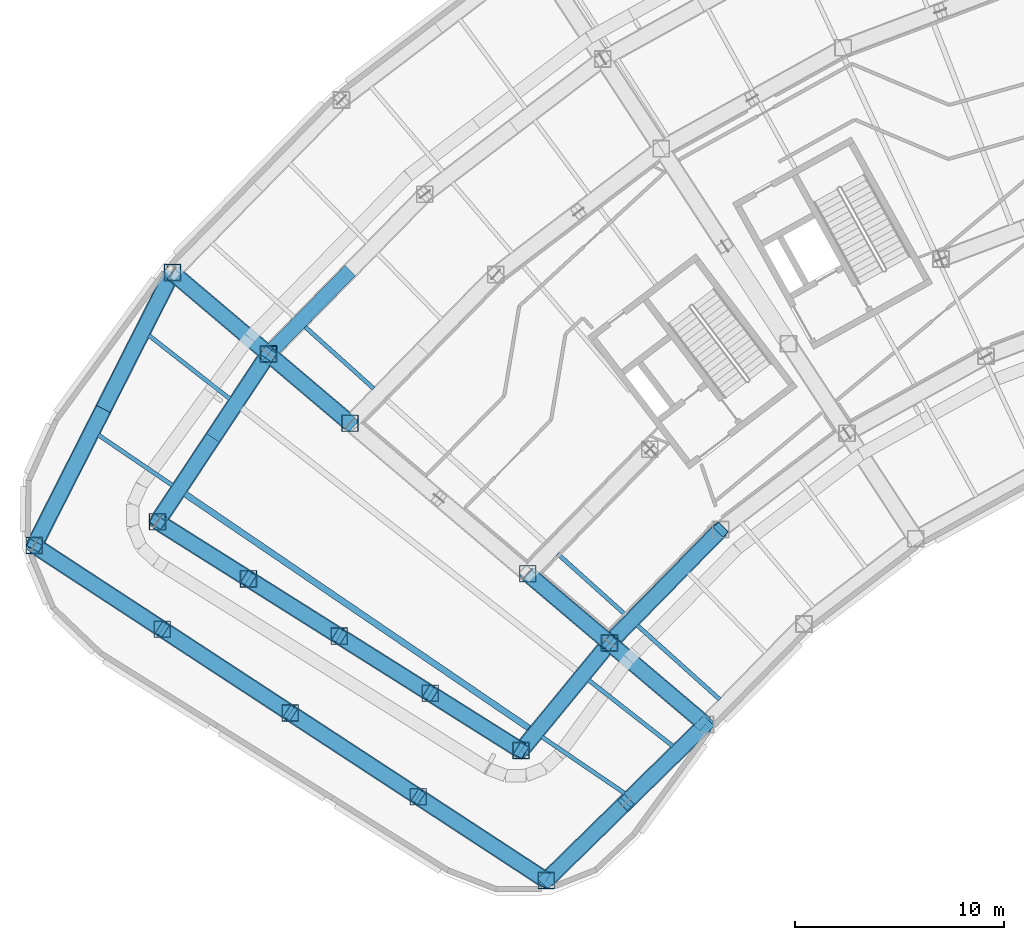
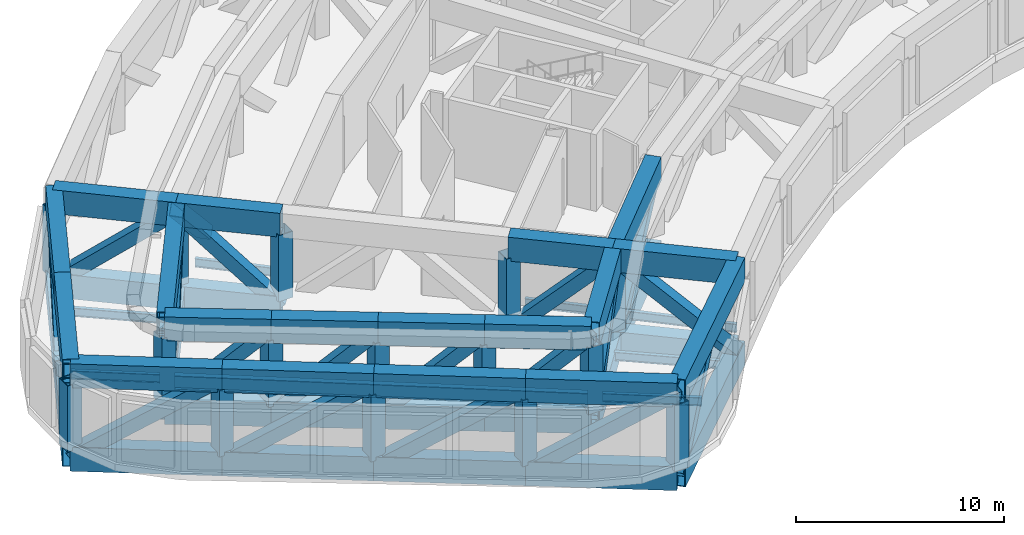
# One storey, part 1 of 30: 44 beams, 36 members.
"""IFC4 building model written with IfcOpenShell, lengths in metres."""

from ifc_helpers import new_model, si_unit, direction, frame, origin, origin_2d, place, context, subcontext, project, spatial, hollow_rectangle, i_section, extrude, material, material_profile, profile_set, type_object, element, save


model = new_model("IFC4")

# Units and contexts
model_context = context("Model", 3, precision=1e-05, world=origin(), true_north=direction((0.0, 1.0)))
body_context = subcontext(model_context, "Body", "Model", "MODEL_VIEW")
ifc_project = project(units=[si_unit("LENGTHUNIT", "METRE"), si_unit("AREAUNIT", "SQUARE_METRE"), si_unit("VOLUMEUNIT", "CUBIC_METRE"), si_unit("PLANEANGLEUNIT", "RADIAN"), si_unit("MASSUNIT", "GRAM", prefix="KILO")], contexts=[model_context])

# Site, building, storey
site_placement = place(None, origin())
site = spatial("IfcSite", under=ifc_project, at=site_placement, CompositionType="ELEMENT")
building_placement = place(site_placement, origin())
building = spatial("IfcBuilding", under=site, at=building_placement, Name="Tuul Gate Civic Tower", CompositionType="ELEMENT")
storey_placement = place(building_placement, frame((0.0, 0.0, 26.699951171875)))
storey = spatial("IfcBuildingStorey", under=building, at=storey_placement, Name="Plant and refuge floor 1", CompositionType="ELEMENT", Elevation=26.699951171875)

# Beams
ifc_material_1 = material(Name="Steel S355", Category="steel")
ifc_material_profile_1 = material_profile(ifc_material_1, i_section(OverallWidth=0.199951171875, OverallDepth=0.5, WebThickness=0.010009765625, FlangeThickness=0.01611328125, at=origin_2d()), Name="PG500x200x10x16")
ifc_profile_set_1 = profile_set([ifc_material_profile_1], Name="Steel S355")
beam_type_1 = type_object("IfcBeamType", Name="STR-FLOOR BEAM-PG500x200x10x16", PredefinedType="BEAM", material=ifc_profile_set_1)
beam_1_placement = place(storey_placement, frame((-34.812255859375, -28.722412109375, -0.64990234375), z_axis=(-0.743879672557, 0.668313573674, 0.0), x_axis=(-0.668313573674, -0.743879672557, 0.0)))
element("IfcBeam", 1, at=beam_1_placement, inside=storey, type_object=beam_type_1, Name="Floor beam", PredefinedType="BEAM", context=body_context, shape_type="SweptSolid", body=[
    extrude(i_section(OverallWidth=0.199951171875, OverallDepth=0.5, WebThickness=0.010009765625, FlangeThickness=0.01611328125, at=origin_2d()), origin(), (0.0, 0.0, 1.0), 5.304931640625),
])
beam_2_placement = place(storey_placement, frame((-39.27978515625, -24.708740234375, -0.64990234375), z_axis=(-0.743850706802, 0.668345813176, 0.0), x_axis=(-0.668345813176, -0.743850706802, 0.0)))
element("IfcBeam", 2, at=beam_2_placement, inside=storey, type_object=beam_type_1, Name="Floor beam", PredefinedType="BEAM", context=body_context, shape_type="SweptSolid", body=[
    extrude(i_section(OverallWidth=0.199951171875, OverallDepth=0.5, WebThickness=0.010009765625, FlangeThickness=0.01611328125, at=origin_2d()), origin(), (0.0, 0.0, 1.0), 4.404052734375),
])
beam_3_placement = place(storey_placement, frame((-51.341552734375, -13.87158203125, -0.64990234375), z_axis=(-0.743869870491, 0.668324483897, 0.0), x_axis=(-0.668324483897, -0.743869870491, 0.0)))
element("IfcBeam", 3, at=beam_3_placement, inside=storey, type_object=beam_type_1, Name="Floor beam", PredefinedType="BEAM", context=body_context, shape_type="SweptSolid", body=[
    extrude(i_section(OverallWidth=0.199951171875, OverallDepth=0.5, WebThickness=0.010009765625, FlangeThickness=0.01611328125, at=origin_2d()), origin(), (0.0, 0.0, 1.0), 4.40478515625),
])
beam_4_placement = place(storey_placement, frame((-37.0517578125, -30.954345703125, -0.64990234375), z_axis=(-0.787004598656, 0.616947130389, 0.0), x_axis=(-0.616947130389, -0.787004598656, 0.0)))
element("IfcBeam", 4, at=beam_4_placement, inside=storey, type_object=beam_type_1, Name="Floor beam", PredefinedType="BEAM", context=body_context, shape_type="SweptSolid", body=[
    extrude(i_section(OverallWidth=0.199951171875, OverallDepth=0.5, WebThickness=0.010009765625, FlangeThickness=0.01611328125, at=origin_2d()), origin(), (0.0, 0.0, 1.0), 5.119384765625),
])
beam_5_placement = place(storey_placement, frame((-58.212646484375, -14.365966796875, -0.64990234375), z_axis=(-0.787012969501, 0.616936452025, 0.0), x_axis=(-0.616936452025, -0.787012969501, 0.0)))
element("IfcBeam", 5, at=beam_5_placement, inside=storey, type_object=beam_type_1, Name="Floor beam", PredefinedType="BEAM", context=body_context, shape_type="SweptSolid", body=[
    extrude(i_section(OverallWidth=0.199951171875, OverallDepth=0.5, WebThickness=0.010009765625, FlangeThickness=0.01611328125, at=origin_2d()), origin(), (0.0, 0.0, 1.0), 4.923583984375),
])
beam_6_placement = place(storey_placement, frame((-39.3515625, -33.207763671875, -0.64990234375), z_axis=(-0.826599247589, 0.562790977082, 0.0), x_axis=(-0.562790977082, -0.826599247589, 0.0)))
element("IfcBeam", 6, at=beam_6_placement, inside=storey, type_object=beam_type_1, Name="Floor beam", PredefinedType="BEAM", context=body_context, shape_type="SweptSolid", body=[
    extrude(i_section(OverallWidth=0.199951171875, OverallDepth=0.5, WebThickness=0.010009765625, FlangeThickness=0.01611328125, at=origin_2d()), origin(), (0.0, 0.0, 1.0), 4.789306640625),
])
beam_7_placement = place(storey_placement, frame((-60.948974609375, -18.50341796875, -0.64990234375), z_axis=(-0.826594180871, 0.562798418752, 0.0), x_axis=(-0.562798418752, -0.826594180871, 0.0)))
element("IfcBeam", 7, at=beam_7_placement, inside=storey, type_object=beam_type_1, Name="Floor beam", PredefinedType="BEAM", context=body_context, shape_type="SweptSolid", body=[
    extrude(i_section(OverallWidth=0.199951171875, OverallDepth=0.5, WebThickness=0.010009765625, FlangeThickness=0.01611328125, at=origin_2d()), origin(), (0.0, 0.0, 1.0), 4.29248046875),
])
ifc_material_2 = material(Name="Steel S355", Category="steel")
ifc_material_profile_2 = material_profile(ifc_material_2, i_section(OverallWidth=0.300048828125, OverallDepth=0.800048828125, WebThickness=0.013916015625, FlangeThickness=0.02490234375, at=origin_2d()), Name="PG800x300x14x25")
ifc_profile_set_2 = profile_set([ifc_material_profile_2], Name="Steel S355")
beam_type_2 = type_object("IfcBeamType", Name="STR-FLOOR BEAM-PG800x300x14x25", PredefinedType="BEAM", material=ifc_profile_set_2)
beam_8_placement = place(storey_placement, frame((-43.891357421875, -30.116943359375, -0.800048828125), z_axis=(-0.826601550665, 0.562787594424, 0.0), x_axis=(-0.562787594424, -0.826601550665, 0.0)))
element("IfcBeam", 8, at=beam_8_placement, inside=storey, type_object=beam_type_2, Name="Floor beam", PredefinedType="BEAM", context=body_context, shape_type="SweptSolid", body=[
    extrude(i_section(OverallWidth=0.300048828125, OverallDepth=0.800048828125, WebThickness=0.013916015625, FlangeThickness=0.02490234375, at=origin_2d()), origin(), (0.0, 0.0, 1.0), 19.935546875),
])
ifc_material_3 = material(Name="Steel S460", Category="steel")
ifc_material_profile_3 = material_profile(ifc_material_3, hollow_rectangle(XDim=0.800048828125, YDim=1.39990234375, WallThickness=0.0400390625, at=origin_2d()), Name="BOX1400x800x40")
ifc_profile_set_3 = profile_set([ifc_material_profile_3], Name="Steel S460")
beam_type_3 = type_object("IfcBeamType", Name="STR-TRANSFER TRUSS CHORD-BOX1400x800x40", PredefinedType="BEAM", material=ifc_profile_set_3)
beam_9_placement = place(storey_placement, frame((-60.9609375, -8.327880859375, -1.099853515625), z_axis=(0.762814843241, -0.646616976989, 0.0), x_axis=(0.646616976989, 0.762814843241, 0.0)))
element("IfcBeam", 9, at=beam_9_placement, inside=storey, type_object=beam_type_3, Name="Radial truss bottom chord", PredefinedType="BEAM", context=body_context, shape_type="SweptSolid", body=[
    extrude(hollow_rectangle(XDim=0.800048828125, YDim=1.39990234375, WallThickness=0.0400390625, at=origin_2d()), origin(), (0.0, 0.0, 1.0), 6.015380859375),
])
beam_10_placement = place(storey_placement, frame((-56.372314453125, -12.217529296875, -1.099853515625), z_axis=(0.762840917867, -0.646586215464, 0.0), x_axis=(0.646586215464, 0.762840917867, 0.0)))
element("IfcBeam", 10, at=beam_10_placement, inside=storey, type_object=beam_type_3, Name="Radial truss bottom chord", PredefinedType="BEAM", context=body_context, shape_type="SweptSolid", body=[
    extrude(hollow_rectangle(XDim=0.800048828125, YDim=1.39990234375, WallThickness=0.0400390625, at=origin_2d()), origin(), (0.0, 0.0, 1.0), 5.113525390625),
])
beam_11_placement = place(storey_placement, frame((-43.981689453125, -22.719970703125, -1.099853515625), z_axis=(0.762844506891, -0.646581981118, 0.0), x_axis=(0.646581981118, 0.762844506891, 0.0)))
element("IfcBeam", 11, at=beam_11_placement, inside=storey, type_object=beam_type_3, Name="Radial truss bottom chord", PredefinedType="BEAM", context=body_context, shape_type="SweptSolid", body=[
    extrude(hollow_rectangle(XDim=0.800048828125, YDim=1.39990234375, WallThickness=0.0400390625, at=origin_2d()), origin(), (0.0, 0.0, 1.0), 5.11328125),
])
beam_12_placement = place(storey_placement, frame((-40.0810546875, -26.026123046875, -1.099853515625), z_axis=(0.76282876196, -0.646600556701, 0.0), x_axis=(0.646600556701, 0.76282876196, 0.0)))
element("IfcBeam", 12, at=beam_12_placement, inside=storey, type_object=beam_type_3, Name="Radial truss bottom chord", PredefinedType="BEAM", context=body_context, shape_type="SweptSolid", body=[
    extrude(hollow_rectangle(XDim=0.800048828125, YDim=1.39990234375, WallThickness=0.0400390625, at=origin_2d()), origin(), (0.0, 0.0, 1.0), 6.015869140625),
])
beam_13_placement = place(storey_placement, frame((-60.9609375, -8.327880859375, 3.800048828125), z_axis=(0.762814843241, -0.646616976989, 0.0), x_axis=(0.646616976989, 0.762814843241, 0.0)))
element("IfcBeam", 13, at=beam_13_placement, inside=storey, type_object=beam_type_3, Name="Radial truss top chord", PredefinedType="BEAM", context=body_context, shape_type="SweptSolid", body=[
    extrude(hollow_rectangle(XDim=0.800048828125, YDim=1.39990234375, WallThickness=0.0400390625, at=origin_2d()), origin(), (0.0, 0.0, 1.0), 6.015380859375),
])
beam_14_placement = place(storey_placement, frame((-56.372314453125, -12.217529296875, 3.800048828125), z_axis=(0.762840917867, -0.646586215464, 0.0), x_axis=(0.646586215464, 0.762840917867, 0.0)))
element("IfcBeam", 14, at=beam_14_placement, inside=storey, type_object=beam_type_3, Name="Radial truss top chord", PredefinedType="BEAM", context=body_context, shape_type="SweptSolid", body=[
    extrude(hollow_rectangle(XDim=0.800048828125, YDim=1.39990234375, WallThickness=0.0400390625, at=origin_2d()), origin(), (0.0, 0.0, 1.0), 5.113525390625),
])
beam_15_placement = place(storey_placement, frame((-43.981689453125, -22.719970703125, 3.800048828125), z_axis=(0.762844506891, -0.646581981118, 0.0), x_axis=(0.646581981118, 0.762844506891, 0.0)))
element("IfcBeam", 15, at=beam_15_placement, inside=storey, type_object=beam_type_3, Name="Radial truss top chord", PredefinedType="BEAM", context=body_context, shape_type="SweptSolid", body=[
    extrude(hollow_rectangle(XDim=0.800048828125, YDim=1.39990234375, WallThickness=0.0400390625, at=origin_2d()), origin(), (0.0, 0.0, 1.0), 5.11328125),
])
beam_16_placement = place(storey_placement, frame((-40.0810546875, -26.026123046875, 3.800048828125), z_axis=(0.76282876196, -0.646600556701, 0.0), x_axis=(0.646600556701, 0.76282876196, 0.0)))
element("IfcBeam", 16, at=beam_16_placement, inside=storey, type_object=beam_type_3, Name="Radial truss top chord", PredefinedType="BEAM", context=body_context, shape_type="SweptSolid", body=[
    extrude(hollow_rectangle(XDim=0.800048828125, YDim=1.39990234375, WallThickness=0.0400390625, at=origin_2d()), origin(), (0.0, 0.0, 1.0), 6.015869140625),
])
for number, where, z_axis, x_axis, name in (
    (17, (-60.9609375, -8.327880859375, -1.099853515625), (-0.451671620722, -0.892184256213, 0.0), (0.892184256213, -0.451671620722, 0.0), "Belt truss bottom chord"),
    (18, (-64.261474609375, -14.847412109375, -1.099853515625), (-0.451671620722, -0.892184256213, 0.0), (0.892184256213, -0.451671620722, 0.0), "Belt truss bottom chord"),
    (19, (-60.9609375, -8.327880859375, 3.800048828125), (-0.451671620722, -0.892184256213, 0.0), (0.892184256213, -0.451671620722, 0.0), "Belt truss top chord"),
    (20, (-64.261474609375, -14.847412109375, 3.800048828125), (-0.451671620722, -0.892184256213, 0.0), (0.892184256213, -0.451671620722, 0.0), "Belt truss top chord"),
):
    element("IfcBeam", number, at=place(storey_placement, frame(where, z_axis=z_axis, x_axis=x_axis)), inside=storey, type_object=beam_type_3, Name=name, PredefinedType="BEAM", context=body_context, shape_type="SweptSolid", body=[
        extrude(hollow_rectangle(XDim=0.800048828125, YDim=1.39990234375, WallThickness=0.0400390625, at=origin_2d()), origin(), (0.0, 0.0, 1.0), 7.307373046875),
    ])
for number, where, z_axis, x_axis, name in (
    (21, (-43.10302734375, -37.3740234375, -1.099853515625), (0.714252924181, 0.699887676916, 0.0), (-0.699887676916, 0.714252924181, 0.0), "Belt truss bottom chord"),
    (22, (-43.10302734375, -37.3740234375, 3.800048828125), (0.714252924181, 0.699887676916, 0.0), (-0.699887676916, 0.714252924181, 0.0), "Belt truss top chord"),
):
    element("IfcBeam", number, at=place(storey_placement, frame(where, z_axis=z_axis, x_axis=x_axis)), inside=storey, type_object=beam_type_3, Name=name, PredefinedType="BEAM", context=body_context, shape_type="SweptSolid", body=[
        extrude(hollow_rectangle(XDim=0.800048828125, YDim=1.39990234375, WallThickness=0.0400390625, at=origin_2d()), origin(), (0.0, 0.0, 1.0), 10.656005859375),
    ])
for number, where, z_axis, x_axis, name in (
    (23, (-56.59423828125, -12.552978515625, -1.099853515625), (-0.551586630676, -0.834117610927, 0.0), (0.834117610927, -0.551586630676, 0.0), "Belt truss bottom chord"),
    (24, (-56.59423828125, -12.552978515625, 3.800048828125), (-0.551586630676, -0.834117610927, 0.0), (0.834117610927, -0.551586630676, 0.0), "Belt truss top chord"),
):
    element("IfcBeam", number, at=place(storey_placement, frame(where, z_axis=z_axis, x_axis=x_axis)), inside=storey, type_object=beam_type_3, Name=name, PredefinedType="BEAM", context=body_context, shape_type="SweptSolid", body=[
        extrude(hollow_rectangle(XDim=0.800048828125, YDim=1.39990234375, WallThickness=0.0400390625, at=origin_2d()), origin(), (0.0, 0.0, 1.0), 9.203857421875),
    ])
for number, where, z_axis, x_axis, name in (
    (25, (-40.0810546875, -26.02587890625, -1.099853515625), (0.700028321622, 0.714115081011, 0.0), (-0.714115081011, 0.700028321622, 0.0), "Belt truss bottom chord"),
    (26, (-40.0810546875, -26.02587890625, 3.800048828125), (0.700028321622, 0.714115081011, 0.0), (-0.714115081011, 0.700028321622, 0.0), "Belt truss top chord"),
):
    element("IfcBeam", number, at=place(storey_placement, frame(where, z_axis=z_axis, x_axis=x_axis)), inside=storey, type_object=beam_type_3, Name=name, PredefinedType="BEAM", context=body_context, shape_type="SweptSolid", body=[
        extrude(hollow_rectangle(XDim=0.800048828125, YDim=1.39990234375, WallThickness=0.0400390625, at=origin_2d()), origin(), (0.0, 0.0, 1.0), 7.591064453125),
    ])
for number, where, z_axis, x_axis, name in (
    (27, (-49.218017578125, -33.3720703125, -1.099853515625), (0.836738253905, -0.547603044597, 0.0), (0.547603044597, 0.836738253905, 0.0), "Belt truss bottom chord"),
    (28, (-49.218017578125, -33.3720703125, 3.800048828125), (0.836738253905, -0.547603044597, 0.0), (0.547603044597, 0.836738253905, 0.0), "Belt truss top chord"),
):
    element("IfcBeam", number, at=place(storey_placement, frame(where, z_axis=z_axis, x_axis=x_axis)), inside=storey, type_object=beam_type_3, Name=name, PredefinedType="BEAM", context=body_context, shape_type="SweptSolid", body=[
        extrude(hollow_rectangle(XDim=0.800048828125, YDim=1.39990234375, WallThickness=0.0400390625, at=origin_2d()), origin(), (0.0, 0.0, 1.0), 7.30810546875),
    ])
for number, where, z_axis, x_axis, name in (
    (29, (-61.447021484375, -25.368896484375, -1.099853515625), (0.836722946883, -0.547626433036, 0.0), (0.547626433036, 0.836722946883, 0.0), "Belt truss bottom chord"),
    (30, (-61.447021484375, -25.368896484375, 3.800048828125), (0.836722946883, -0.547626433036, 0.0), (0.547626433036, 0.836722946883, 0.0), "Belt truss top chord"),
):
    element("IfcBeam", number, at=place(storey_placement, frame(where, z_axis=z_axis, x_axis=x_axis)), inside=storey, type_object=beam_type_3, Name=name, PredefinedType="BEAM", context=body_context, shape_type="SweptSolid", body=[
        extrude(hollow_rectangle(XDim=0.800048828125, YDim=1.39990234375, WallThickness=0.0400390625, at=origin_2d()), origin(), (0.0, 0.0, 1.0), 7.308349609375),
    ])
for number, where, z_axis, x_axis, name in (
    (31, (-67.56201171875, -21.366943359375, -1.099853515625), (0.836738253905, -0.547603044597, 0.0), (0.547603044597, 0.836738253905, 0.0), "Belt truss bottom chord"),
    (32, (-67.56201171875, -21.366943359375, 3.800048828125), (0.836738253905, -0.547603044597, 0.0), (0.547603044597, 0.836738253905, 0.0), "Belt truss top chord"),
):
    element("IfcBeam", number, at=place(storey_placement, frame(where, z_axis=z_axis, x_axis=x_axis)), inside=storey, type_object=beam_type_3, Name=name, PredefinedType="BEAM", context=body_context, shape_type="SweptSolid", body=[
        extrude(hollow_rectangle(XDim=0.800048828125, YDim=1.39990234375, WallThickness=0.0400390625, at=origin_2d()), origin(), (0.0, 0.0, 1.0), 7.30810546875),
    ])
for number, where, z_axis, x_axis, name in (
    (33, (-55.33203125, -29.37109375, -1.099853515625), (0.836759414519, -0.547570709785, 0.0), (0.547570709785, 0.836759414519, 0.0), "Belt truss bottom chord"),
    (34, (-55.33203125, -29.37109375, 3.800048828125), (0.836759414519, -0.547570709785, 0.0), (0.547570709785, 0.836759414519, 0.0), "Belt truss top chord"),
):
    element("IfcBeam", number, at=place(storey_placement, frame(where, z_axis=z_axis, x_axis=x_axis)), inside=storey, type_object=beam_type_3, Name=name, PredefinedType="BEAM", context=body_context, shape_type="SweptSolid", body=[
        extrude(hollow_rectangle(XDim=0.800048828125, YDim=1.39990234375, WallThickness=0.0400390625, at=origin_2d()), origin(), (0.0, 0.0, 1.0), 7.306884765625),
    ])
for number, where, z_axis, x_axis, name in (
    (35, (-44.301025390625, -31.16796875, -1.099853515625), (0.63440876246, 0.772997750394, 0.0), (-0.772997750394, 0.63440876246, 0.0), "Belt truss bottom chord"),
    (36, (-44.301025390625, -31.16796875, 3.800048828125), (0.63440876246, 0.772997750394, 0.0), (-0.772997750394, 0.63440876246, 0.0), "Belt truss top chord"),
):
    element("IfcBeam", number, at=place(storey_placement, frame(where, z_axis=z_axis, x_axis=x_axis)), inside=storey, type_object=beam_type_3, Name=name, PredefinedType="BEAM", context=body_context, shape_type="SweptSolid", body=[
        extrude(hollow_rectangle(XDim=0.800048828125, YDim=1.39990234375, WallThickness=0.0400390625, at=origin_2d()), origin(), (0.0, 0.0, 1.0), 6.251953125),
    ])
for number, where, z_axis, x_axis, name in (
    (37, (-52.986083984375, -25.698974609375, -1.099853515625), (0.846178819959, -0.53289905672, 0.0), (0.53289905672, 0.846178819959, 0.0), "Belt truss bottom chord"),
    (38, (-52.986083984375, -25.698974609375, 3.800048828125), (0.846178819959, -0.53289905672, 0.0), (0.53289905672, 0.846178819959, 0.0), "Belt truss top chord"),
):
    element("IfcBeam", number, at=place(storey_placement, frame(where, z_axis=z_axis, x_axis=x_axis)), inside=storey, type_object=beam_type_3, Name=name, PredefinedType="BEAM", context=body_context, shape_type="SweptSolid", body=[
        extrude(hollow_rectangle(XDim=0.800048828125, YDim=1.39990234375, WallThickness=0.0400390625, at=origin_2d()), origin(), (0.0, 0.0, 1.0), 5.132568359375),
    ])
for number, where, z_axis, x_axis, name in (
    (39, (-61.6708984375, -20.22998046875, -1.099853515625), (0.846264615796, -0.53276279905, 0.0), (0.53276279905, 0.846264615796, 0.0), "Belt truss bottom chord"),
    (40, (-61.6708984375, -20.22998046875, 3.800048828125), (0.846264615796, -0.53276279905, 0.0), (0.53276279905, 0.846264615796, 0.0), "Belt truss top chord"),
):
    element("IfcBeam", number, at=place(storey_placement, frame(where, z_axis=z_axis, x_axis=x_axis)), inside=storey, type_object=beam_type_3, Name=name, PredefinedType="BEAM", context=body_context, shape_type="SweptSolid", body=[
        extrude(hollow_rectangle(XDim=0.800048828125, YDim=1.39990234375, WallThickness=0.0400390625, at=origin_2d()), origin(), (0.0, 0.0, 1.0), 5.132080078125),
    ])
for number, where, z_axis, x_axis, name in (
    (41, (-57.327880859375, -22.964111328125, -1.099853515625), (0.8461327144, -0.532972259712, 0.0), (0.532972259712, 0.8461327144, 0.0), "Belt truss bottom chord"),
    (42, (-57.327880859375, -22.964111328125, 3.800048828125), (0.8461327144, -0.532972259712, 0.0), (0.532972259712, 0.8461327144, 0.0), "Belt truss top chord"),
):
    element("IfcBeam", number, at=place(storey_placement, frame(where, z_axis=z_axis, x_axis=x_axis)), inside=storey, type_object=beam_type_3, Name=name, PredefinedType="BEAM", context=body_context, shape_type="SweptSolid", body=[
        extrude(hollow_rectangle(XDim=0.800048828125, YDim=1.39990234375, WallThickness=0.0400390625, at=origin_2d()), origin(), (0.0, 0.0, 1.0), 5.13134765625),
    ])
for number, where, z_axis, x_axis, name in (
    (43, (-48.64306640625, -28.43408203125, -1.099853515625), (0.84623204551, -0.532814531663, 0.0), (0.532814531663, 0.84623204551, 0.0), "Belt truss bottom chord"),
    (44, (-48.64306640625, -28.43408203125, 3.800048828125), (0.84623204551, -0.532814531663, 0.0), (0.532814531663, 0.84623204551, 0.0), "Belt truss top chord"),
):
    element("IfcBeam", number, at=place(storey_placement, frame(where, z_axis=z_axis, x_axis=x_axis)), inside=storey, type_object=beam_type_3, Name=name, PredefinedType="BEAM", context=body_context, shape_type="SweptSolid", body=[
        extrude(hollow_rectangle(XDim=0.800048828125, YDim=1.39990234375, WallThickness=0.0400390625, at=origin_2d()), origin(), (0.0, 0.0, 1.0), 5.131103515625),
    ])

# Members
ifc_material_4 = material(Name="Steel S355", Category="steel")
ifc_material_profile_4 = material_profile(ifc_material_4, hollow_rectangle(XDim=0.699951171875, YDim=0.699951171875, WallThickness=0.031982421875, at=origin_2d()), Name="BOX700x700x32")
ifc_profile_set_4 = profile_set([ifc_material_profile_4], Name="Steel S355")
member_type_1 = type_object("IfcMemberType", Name="STR-TRANSFER TRUSS DIAGONAL-BOX700x700x32", PredefinedType="BRACE", material=ifc_profile_set_4)
member_1_placement = place(storey_placement, frame((-60.9638671875, -8.325439453125, -1.10302734375), z_axis=(0.591432791745, -0.50133035198, 0.631565618944), x_axis=(0.646608860011, 0.762821723705, 0.0)))
element("IfcMember", 45, at=member_1_placement, inside=storey, type_object=member_type_1, Name="Radial truss web", PredefinedType="BRACE", context=body_context, shape_type="SweptSolid", body=[
    extrude(hollow_rectangle(XDim=0.699951171875, YDim=0.699951171875, WallThickness=0.031982421875, at=origin_2d()), origin(), (0.0, 0.0, 1.0), 7.768310546875),
])
member_2_placement = place(storey_placement, frame((-52.468505859375, -15.5263671875, -1.103515625), z_axis=(-0.550791239799, 0.466869669733, 0.691853829681), x_axis=(-0.64660022906, -0.76282903968, 0.0)))
element("IfcMember", 46, at=member_2_placement, inside=storey, type_object=member_type_1, Name="Radial truss web", PredefinedType="BRACE", context=body_context, shape_type="SweptSolid", body=[
    extrude(hollow_rectangle(XDim=0.699951171875, YDim=0.699951171875, WallThickness=0.031982421875, at=origin_2d()), origin(), (0.0, 0.0, 1.0), 7.092529296875),
])
member_3_placement = place(storey_placement, frame((-43.984375, -22.7177734375, -1.103515625), z_axis=(0.550760980506, -0.466833530636, 0.691902303093), x_axis=(0.646591774101, 0.762836206315, 0.0)))
element("IfcMember", 47, at=member_3_placement, inside=storey, type_object=member_type_1, Name="Radial truss web", PredefinedType="BRACE", context=body_context, shape_type="SweptSolid", body=[
    extrude(hollow_rectangle(XDim=0.699951171875, YDim=0.699951171875, WallThickness=0.031982421875, at=origin_2d()), origin(), (0.0, 0.0, 1.0), 7.092041015625),
])
member_4_placement = place(storey_placement, frame((-35.489013671875, -29.91845703125, -1.10302734375), z_axis=(-0.591464339795, 0.501335243225, 0.631532191303), x_axis=(-0.64659246108, -0.76283562402, 0.0)))
element("IfcMember", 48, at=member_4_placement, inside=storey, type_object=member_type_1, Name="Radial truss web", PredefinedType="BRACE", context=body_context, shape_type="SweptSolid", body=[
    extrude(hollow_rectangle(XDim=0.699951171875, YDim=0.699951171875, WallThickness=0.031982421875, at=origin_2d()), origin(), (0.0, 0.0, 1.0), 7.768798828125),
])
for number, where, z_axis, x_axis, name in (
    (49, (-64.263427734375, -14.851318359375, -1.102783203125), (0.375126479414, 0.741023084611, 0.556924512403), (-0.892193587103, 0.451653188998, 0.0), "Belt truss web"),
    (50, (-64.259521484375, -14.84375, -1.102783203125), (-0.375158001218, -0.741002881755, 0.556930160212), (0.892173330838, -0.451693200901, 0.0), "Belt truss web"),
):
    element("IfcMember", number, at=place(storey_placement, frame(where, z_axis=z_axis, x_axis=x_axis)), inside=storey, type_object=member_type_1, Name=name, PredefinedType="BRACE", context=body_context, shape_type="SweptSolid", body=[
        extrude(hollow_rectangle(XDim=0.699951171875, YDim=0.699951171875, WallThickness=0.031982421875, at=origin_2d()), origin(), (0.0, 0.0, 1.0), 8.80810546875),
    ])
member_5_placement = place(storey_placement, frame((-52.63232421875, -8.40185546875, -1.103271484375), z_axis=(-0.515704401296, -0.52613422674, 0.676189134737), x_axis=(0.714149827828, -0.69999287383, 0.0)))
element("IfcMember", 51, at=member_5_placement, inside=storey, type_object=member_type_1, Name="Belt truss web", PredefinedType="BRACE", context=body_context, shape_type="SweptSolid", body=[
    extrude(hollow_rectangle(XDim=0.699951171875, YDim=0.699951171875, WallThickness=0.031982421875, at=origin_2d()), origin(), (0.0, 0.0, 1.0), 7.25634765625),
])
for number, where, z_axis, x_axis, name in (
    (52, (-43.105712890625, -37.37646484375, -1.103271484375), (0.525729167406, 0.515153284354, 0.676923877669), (-0.699886099158, 0.714254470203, 0.0), "Belt truss web"),
    (53, (-35.4892578125, -29.913330078125, -1.103271484375), (-0.525729167406, -0.515153284354, 0.676923877669), (0.699886099158, -0.714254470203, 0.0), "Belt truss web"),
):
    element("IfcMember", number, at=place(storey_placement, frame(where, z_axis=z_axis, x_axis=x_axis)), inside=storey, type_object=member_type_1, Name=name, PredefinedType="BRACE", context=body_context, shape_type="SweptSolid", body=[
        extrude(hollow_rectangle(XDim=0.699951171875, YDim=0.699951171875, WallThickness=0.031982421875, at=origin_2d()), origin(), (0.0, 0.0, 1.0), 7.24853515625),
    ])
member_6_placement = place(storey_placement, frame((-59.0234375, -16.226318359375, -1.103515625), z_axis=(0.38612886728, 0.583883125219, 0.714132336431), x_axis=(-0.834105978322, 0.551604221273, 0.0)))
element("IfcMember", 54, at=member_6_placement, inside=storey, type_object=member_type_1, Name="Belt truss web", PredefinedType="BRACE", context=body_context, shape_type="SweptSolid", body=[
    extrude(hollow_rectangle(XDim=0.699951171875, YDim=0.699951171875, WallThickness=0.031982421875, at=origin_2d()), origin(), (0.0, 0.0, 1.0), 6.87158203125),
])
member_7_placement = place(storey_placement, frame((-59.01953125, -16.220458984375, -1.103515625), z_axis=(-0.386120857132, -0.583906540943, 0.714117521932), x_axis=(0.834121420393, -0.551580869902, 0.0)))
element("IfcMember", 55, at=member_7_placement, inside=storey, type_object=member_type_1, Name="Belt truss web", PredefinedType="BRACE", context=body_context, shape_type="SweptSolid", body=[
    extrude(hollow_rectangle(XDim=0.699951171875, YDim=0.699951171875, WallThickness=0.031982421875, at=origin_2d()), origin(), (0.0, 0.0, 1.0), 6.871826171875),
])
member_8_placement = place(storey_placement, frame((-40.083984375, -26.029052734375, -1.102783203125), z_axis=(0.588133006226, 0.599982037421, 0.542329348054), x_axis=(-0.714123220744, 0.700020017995, 0.0)))
element("IfcMember", 56, at=member_8_placement, inside=storey, type_object=member_type_1, Name="Belt truss web", PredefinedType="BRACE", context=body_context, shape_type="SweptSolid", body=[
    extrude(hollow_rectangle(XDim=0.699951171875, YDim=0.699951171875, WallThickness=0.031982421875, at=origin_2d()), origin(), (0.0, 0.0, 1.0), 9.045166015625),
])
for number, where, z_axis, x_axis, name in (
    (57, (-49.221435546875, -33.36962890625, -1.102783203125), (0.694973014637, -0.454843555063, 0.556893032228), (0.547618823889, 0.836727926941, 0.0), "Belt truss web"),
    (58, (-61.450439453125, -25.36669921875, -1.102783203125), (0.694973014637, -0.454843555063, 0.556893032228), (0.547618823889, 0.836727926941, 0.0), "Belt truss web"),
    (59, (-67.5654296875, -21.36474609375, -1.102783203125), (0.694973014637, -0.454843555063, 0.556893032228), (0.547618823889, 0.836727926941, 0.0), "Belt truss web"),
):
    element("IfcMember", number, at=place(storey_placement, frame(where, z_axis=z_axis, x_axis=x_axis)), inside=storey, type_object=member_type_1, Name=name, PredefinedType="BRACE", context=body_context, shape_type="SweptSolid", body=[
        extrude(hollow_rectangle(XDim=0.699951171875, YDim=0.699951171875, WallThickness=0.031982421875, at=origin_2d()), origin(), (0.0, 0.0, 1.0), 8.808837890625),
    ])
member_9_placement = place(storey_placement, frame((-55.33544921875, -29.36865234375, -1.102783203125), z_axis=(0.694950735563, -0.454790663251, 0.556964027349), x_axis=(0.547586528904, 0.836749062361, 0.0)))
element("IfcMember", 60, at=member_9_placement, inside=storey, type_object=member_type_1, Name="Belt truss web", PredefinedType="BRACE", context=body_context, shape_type="SweptSolid", body=[
    extrude(hollow_rectangle(XDim=0.699951171875, YDim=0.699951171875, WallThickness=0.031982421875, at=origin_2d()), origin(), (0.0, 0.0, 1.0), 8.8076171875),
])
member_10_placement = place(storey_placement, frame((-44.303466796875, -31.171142578125, -1.10302734375), z_axis=(0.510777507861, 0.622371738603, 0.593093379201), x_axis=(-0.7730042273, 0.634400870567, 0.0)))
element("IfcMember", 61, at=member_10_placement, inside=storey, type_object=member_type_1, Name="Belt truss web", PredefinedType="BRACE", context=body_context, shape_type="SweptSolid", body=[
    extrude(hollow_rectangle(XDim=0.699951171875, YDim=0.699951171875, WallThickness=0.031982421875, at=origin_2d()), origin(), (0.0, 0.0, 1.0), 8.27197265625),
])
member_11_placement = place(storey_placement, frame((-52.989013671875, -25.697021484375, -1.103515625), z_axis=(0.612033292448, -0.385449730997, 0.690538741715), x_axis=(0.532907754035, 0.846173342578, 0.0)))
element("IfcMember", 62, at=member_11_placement, inside=storey, type_object=member_type_1, Name="Belt truss web", PredefinedType="BRACE", context=body_context, shape_type="SweptSolid", body=[
    extrude(hollow_rectangle(XDim=0.699951171875, YDim=0.699951171875, WallThickness=0.031982421875, at=origin_2d()), origin(), (0.0, 0.0, 1.0), 7.10595703125),
])
member_12_placement = place(storey_placement, frame((-61.674072265625, -20.22802734375, -1.103515625), z_axis=(0.612073812756, -0.385303454376, 0.690584459559), x_axis=(0.532737667857, 0.846280436526, 0.0)))
element("IfcMember", 63, at=member_12_placement, inside=storey, type_object=member_type_1, Name="Belt truss web", PredefinedType="BRACE", context=body_context, shape_type="SweptSolid", body=[
    extrude(hollow_rectangle(XDim=0.699951171875, YDim=0.699951171875, WallThickness=0.031982421875, at=origin_2d()), origin(), (0.0, 0.0, 1.0), 7.10546875),
])
member_13_placement = place(storey_placement, frame((-57.3310546875, -22.962158203125, -1.103515625), z_axis=(0.611955437448, -0.385452897097, 0.69060597065), x_axis=(0.532959429868, 0.846140795681, 0.0)))
element("IfcMember", 64, at=member_13_placement, inside=storey, type_object=member_type_1, Name="Belt truss web", PredefinedType="BRACE", context=body_context, shape_type="SweptSolid", body=[
    extrude(hollow_rectangle(XDim=0.699951171875, YDim=0.699951171875, WallThickness=0.031982421875, at=origin_2d()), origin(), (0.0, 0.0, 1.0), 7.105224609375),
])
member_14_placement = place(storey_placement, frame((-48.64599609375, -28.43212890625, -1.103515625), z_axis=(0.611987853794, -0.385335867066, 0.690642553251), x_axis=(0.53282335123, 0.846226492367, 0.0)))
element("IfcMember", 65, at=member_14_placement, inside=storey, type_object=member_type_1, Name="Belt truss web", PredefinedType="BRACE", context=body_context, shape_type="SweptSolid", body=[
    extrude(hollow_rectangle(XDim=0.699951171875, YDim=0.699951171875, WallThickness=0.031982421875, at=origin_2d()), origin(), (0.0, 0.0, 1.0), 7.10498046875),
])
ifc_material_5 = material(Name="Steel S355", Category="steel")
ifc_material_profile_5 = material_profile(ifc_material_5, hollow_rectangle(XDim=0.800048828125, YDim=0.800048828125, WallThickness=0.034912109375, at=origin_2d()), Name="BOX800x800x35")
ifc_profile_set_5 = profile_set([ifc_material_profile_5], Name="Steel S355")
member_type_2 = type_object("IfcMemberType", Name="STR-TRUSS POST-BOX800x800x35", PredefinedType="POST", material=ifc_profile_set_5)
for number, where, z_axis, x_axis, name in (
    (66, (-60.9609375, -8.327880859375, -0.594970703125), (0.0, 0.0, 1.0), (1.0, 0.0, 0.0), "Radial truss post"),
    (67, (-56.372314453125, -12.217529296875, -0.594970703125), (0.0, 0.0, 1.0), (1.0, 0.0, 0.0), "Radial truss post"),
    (68, (-52.471435546875, -15.52392578125, -0.594970703125), (0.0, 0.0, 1.0), (1.0, 0.0, 0.0), "Radial truss post"),
    (69, (-43.981689453125, -22.719970703125, -0.594970703125), (0.0, 0.0, 1.0), (1.0, 0.0, 0.0), "Radial truss post"),
    (70, (-40.0810546875, -26.026123046875, -0.594970703125), (0.0, 0.0, 1.0), (1.0, 0.0, 0.0), "Radial truss post"),
    (71, (-67.56201171875, -21.366943359375, -0.594970703125), (0.0, 0.0, 1.0), (1.0, 0.0, 0.0), "Belt truss post"),
    (72, (-43.10302734375, -37.3740234375, -0.594970703125), (0.0, 0.0, 1.0), (1.0, 0.0, 0.0), "Belt truss post"),
    (73, (-61.6708984375, -20.22998046875, -0.594970703125), (0.0, 0.0, 1.0), (1.0, 0.0, 0.0), "Belt truss post"),
    (74, (-49.218017578125, -33.3720703125, -0.594970703125), (0.0, 0.0, 1.0), (1.0, 0.0, 0.0), "Belt truss post"),
    (75, (-61.447021484375, -25.368896484375, -0.594970703125), (0.0, 0.0, 1.0), (1.0, 0.0, 0.0), "Belt truss post"),
    (76, (-55.33203125, -29.37109375, -0.594970703125), (0.0, 0.0, 1.0), (1.0, 0.0, 0.0), "Belt truss post"),
    (77, (-44.301025390625, -31.16796875, -0.594970703125), (0.0, 0.0, 1.0), (1.0, 0.0, 0.0), "Belt truss post"),
    (78, (-52.986083984375, -25.698974609375, -0.594970703125), (0.0, 0.0, 1.0), (1.0, 0.0, 0.0), "Belt truss post"),
    (79, (-48.64306640625, -28.43408203125, -0.594970703125), (0.0, 0.0, 1.0), (1.0, 0.0, 0.0), "Belt truss post"),
    (80, (-57.327880859375, -22.964111328125, -0.594970703125), (0.0, 0.0, 1.0), (1.0, 0.0, 0.0), "Belt truss post"),
):
    element("IfcMember", number, at=place(storey_placement, frame(where, z_axis=z_axis, x_axis=x_axis)), inside=storey, type_object=member_type_2, Name=name, PredefinedType="POST", context=body_context, shape_type="SweptSolid", body=[
        extrude(hollow_rectangle(XDim=0.800048828125, YDim=0.800048828125, WallThickness=0.034912109375, at=origin_2d()), origin(), (0.0, 0.0, 1.0), 3.89013671875),
    ])

save(model, "model.ifc")
